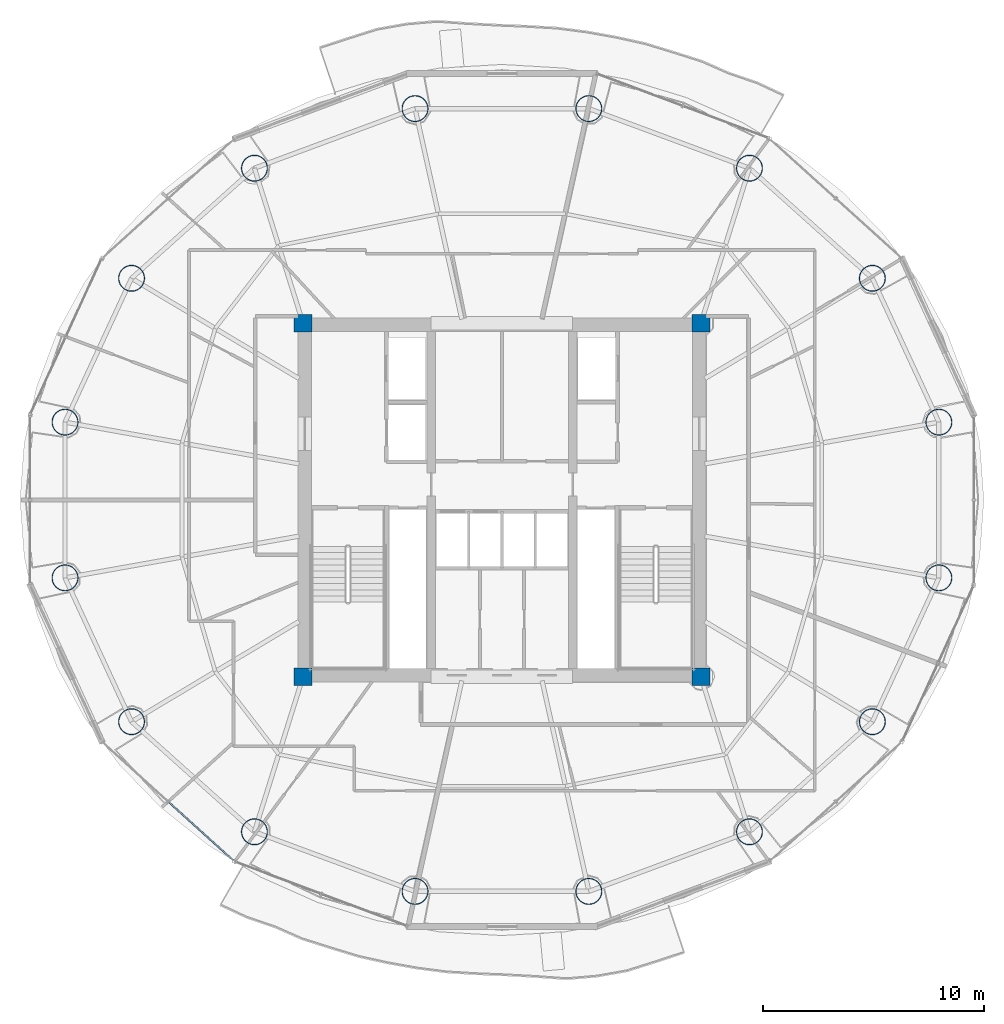
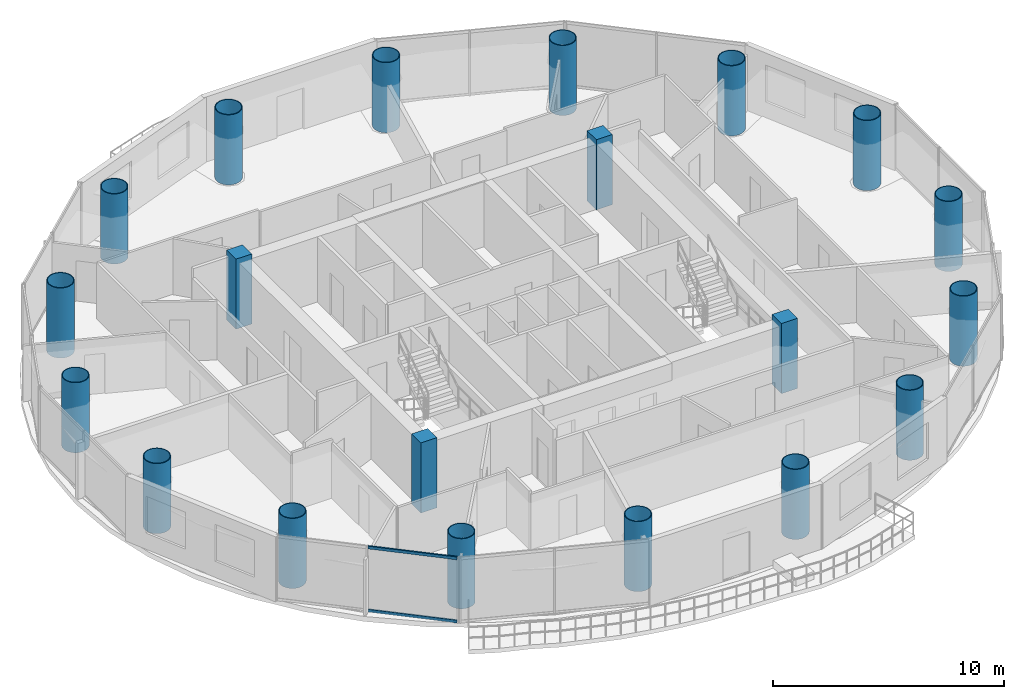
# One storey, part 1 of 26: 20 columns, 2 members, 1 element without a shape of its own.
"""IFC4 building model written with IfcOpenShell, lengths in metres."""

from ifc_helpers import new_model, si_unit, direction, frame, origin, origin_2d, place, context, subcontext, project, spatial, rectangle, hollow_rectangle, hollow_circle, extrude, source, transform, mapped, material, material_profile, profile_set, type_object, element, aggregate, save


model = new_model("IFC4")

# Units and contexts
model_context = context("Model", 3, precision=1e-05, world=origin(), true_north=direction((-0.2419218956, 0.970295726276)))
body_context = subcontext(model_context, "Body", "Model", "MODEL_VIEW")
ifc_project = project(units=[si_unit("LENGTHUNIT", "METRE"), si_unit("AREAUNIT", "SQUARE_METRE"), si_unit("VOLUMEUNIT", "CUBIC_METRE"), si_unit("PLANEANGLEUNIT", "RADIAN"), si_unit("MASSUNIT", "GRAM", prefix="KILO")], contexts=[model_context])

# Site, building, storey
site_placement = place(None, origin())
site = spatial("IfcSite", under=ifc_project, at=site_placement, CompositionType="ELEMENT")
building_placement = place(site_placement, origin())
building = spatial("IfcBuilding", under=site, at=building_placement, Name="Cobrevalo Terracotta Tower", CompositionType="ELEMENT")
storey_placement = place(building_placement, frame((0.0, 0.0, 235.60009765625)))
storey = spatial("IfcBuildingStorey", under=building, at=storey_placement, Name="L62", CompositionType="ELEMENT", Elevation=235.60009765625)

# Columns
ifc_material_1 = material(Name="Steel S355", Category="steel")
ifc_material_profile_1 = material_profile(ifc_material_1, hollow_circle(Radius=0.60009765625, WallThickness=0.0380859375, at=origin_2d()), Name="CHS 1200x38")
ifc_profile_set_1 = profile_set([ifc_material_profile_1], Name="Steel S355")
column_type_1 = type_object("IfcColumnType", Name="Structural Column CHS 1200x38 (Steel S355)", PredefinedType="COLUMN", material=ifc_profile_set_1)
for number, where, z_axis, x_axis, name in (
    (1, (57.762939453125, 30.3212890625, 0.0), (0.0, 0.0, 1.0), (1.0, 0.0, 0.0), "L62 composite megacolumn MC01"),
    (2, (54.754150390625, 36.828125, 0.0), (0.0, 0.0, 1.0), (1.0, 0.0, 0.0), "L62 composite megacolumn MC02"),
    (3, (49.19482421875, 41.80810546875, 0.0), (0.0, 0.0, 1.0), (1.0, 0.0, 0.0), "L62 composite megacolumn MC03"),
    (4, (41.93115234375, 44.503173828125, 0.0), (0.0, 0.0, 1.0), (1.0, 0.0, 0.0), "L62 composite megacolumn MC04"),
    (5, (34.06884765625, 44.503173828125, 0.0), (0.0, 0.0, 1.0), (1.0, 0.0, 0.0), "L62 composite megacolumn MC05"),
    (6, (26.80517578125, 41.80810546875, 0.0), (0.0, 0.0, 1.0), (1.0, 0.0, 0.0), "L62 composite megacolumn MC06"),
    (7, (21.245849609375, 36.828125, 0.0), (0.0, 0.0, 1.0), (1.0, 0.0, 0.0), "L62 composite megacolumn MC07"),
    (8, (18.237060546875, 30.3212890625, 0.0), (0.0, 0.0, 1.0), (1.0, 0.0, 0.0), "L62 composite megacolumn MC08"),
    (9, (18.237060546875, 23.278564453125, 0.0), (0.0, 0.0, 1.0), (1.0, 0.0, 0.0), "L62 composite megacolumn MC09"),
    (10, (21.245849609375, 16.77197265625, 0.0), (0.0, 0.0, 1.0), (1.0, 0.0, 0.0), "L62 composite megacolumn MC10"),
    (11, (26.80517578125, 11.7919921875, 0.0), (0.0, 0.0, 1.0), (1.0, 0.0, 0.0), "L62 composite megacolumn MC11"),
    (12, (34.06884765625, 9.096923828125, 0.0), (0.0, 0.0, 1.0), (1.0, 0.0, 0.0), "L62 composite megacolumn MC12"),
    (13, (41.93115234375, 9.096923828125, 0.0), (0.0, 0.0, 1.0), (1.0, 0.0, 0.0), "L62 composite megacolumn MC13"),
    (14, (49.19482421875, 11.7919921875, 0.0), (0.0, 0.0, 1.0), (1.0, 0.0, 0.0), "L62 composite megacolumn MC14"),
    (15, (54.754150390625, 16.77197265625, 0.0), (0.0, 0.0, 1.0), (1.0, 0.0, 0.0), "L62 composite megacolumn MC15"),
    (16, (57.762939453125, 23.278564453125, 0.0), (0.0, 0.0, 1.0), (1.0, 0.0, 0.0), "L62 composite megacolumn MC16"),
):
    element("IfcColumn", number, at=place(storey_placement, frame(where, z_axis=z_axis, x_axis=x_axis)), inside=storey, type_object=column_type_1, Name=name, PredefinedType="COLUMN", context=body_context, shape_type="SweptSolid", body=[
        extrude(hollow_circle(Radius=0.60009765625, WallThickness=0.0380859375, at=origin_2d()), origin(), (0.0, 0.0, 1.0), 3.699951171875),
    ])
ifc_material_2 = material(Name="Concrete C50", Category="concrete")
ifc_material_profile_2 = material_profile(ifc_material_2, rectangle(XDim=0.800048828125, YDim=0.800048828125, at=origin_2d()), Name="RC COL 800x800")
ifc_profile_set_2 = profile_set([ifc_material_profile_2], Name="Concrete C50")
column_type_2 = type_object("IfcColumnType", Name="Structural Column RC COL 800x800 (Concrete C50)", PredefinedType="COLUMN", material=ifc_profile_set_2)
for number, where, z_axis, x_axis, name in (
    (17, (29.0, 18.800048828125, 0.0), (0.0, 0.0, 1.0), (1.0, 0.0, 0.0), "L62 core corner column CC1"),
    (18, (47.0, 18.800048828125, 0.0), (0.0, 0.0, 1.0), (1.0, 0.0, 0.0), "L62 core corner column CC2"),
    (19, (47.0, 34.800048828125, 0.0), (0.0, 0.0, 1.0), (1.0, 0.0, 0.0), "L62 core corner column CC3"),
    (20, (29.0, 34.800048828125, 0.0), (0.0, 0.0, 1.0), (1.0, 0.0, 0.0), "L62 core corner column CC4"),
):
    element("IfcColumn", number, at=place(storey_placement, frame(where, z_axis=z_axis, x_axis=x_axis)), inside=storey, type_object=column_type_2, Name=name, PredefinedType="COLUMN", context=body_context, shape_type="SweptSolid", body=[
        extrude(rectangle(XDim=0.800048828125, YDim=0.800048828125, at=origin_2d()), origin(), (0.0, 0.0, 1.0), 3.699951171875),
    ])

# Curtain wall, members
ifc_material_3 = material(Name="Anodized aluminium", Category="aluminium")
curtain_wall_type = type_object("IfcCurtainWallType", Name="Mid-tower high-wind unitised curtain wall CW-U2", PredefinedType="NOTDEFINED", material=ifc_material_3)
curtain_wall_placement = place(storey_placement, origin())
curtain_wall = element("IfcCurtainWall", 21, at=curtain_wall_placement, inside=storey, type_object=curtain_wall_type, Name="L62 curtain wall CW-L62-S10", PredefinedType="NOTDEFINED")
ifc_material_profile_3 = material_profile(ifc_material_3, hollow_rectangle(XDim=0.074951171875, YDim=0.14990234375, WallThickness=0.00439453125, at=origin_2d()), Name="CWT 75x150")
ifc_profile_set_3 = profile_set([ifc_material_profile_3], Name="Anodized aluminium")
member_type = type_object("IfcMemberType", Name="Tower unitised aluminium transom 75x150", PredefinedType="USERDEFINED", material=ifc_profile_set_3)
shared_shape = source(origin(), body_context, "Body", "SweptSolid", [
    extrude(hollow_rectangle(XDim=0.074951171875, YDim=0.14990234375, WallThickness=0.00439453125, at=origin_2d()), origin(), (0.0, 0.0, 1.0), 3.927734375),
])
member_1_placement = place(storey_placement, frame((22.931640625, 13.131591796875, 0.0498046875), z_axis=(0.742003891138, -0.670395573923, 0.0), x_axis=(0.670395573923, 0.742003891138, 0.0)))
member_1 = element("IfcMember", 22, at=member_1_placement, type_object=member_type, Name="CW-L62-S10 transom B02-T1", ObjectType="TRANSOM", PredefinedType="USERDEFINED", context=body_context, shape_type="MappedRepresentation", body=[
    mapped(shared_shape, transform((0.0, 0.0, 0.0), scale=1.0)),
])
member_2_placement = place(storey_placement, frame((22.931640625, 13.131591796875, 3.385009765625), z_axis=(0.742003891138, -0.670395573923, 0.0), x_axis=(0.670395573923, 0.742003891138, 0.0)))
member_2 = element("IfcMember", 23, at=member_2_placement, type_object=member_type, Name="CW-L62-S10 transom B02-T2", ObjectType="TRANSOM", PredefinedType="USERDEFINED", context=body_context, shape_type="MappedRepresentation", body=[
    mapped(shared_shape, transform((0.0, 0.0, 0.0), scale=1.0)),
])
aggregate(curtain_wall, [member_1, member_2])

save(model, "model.ifc")
